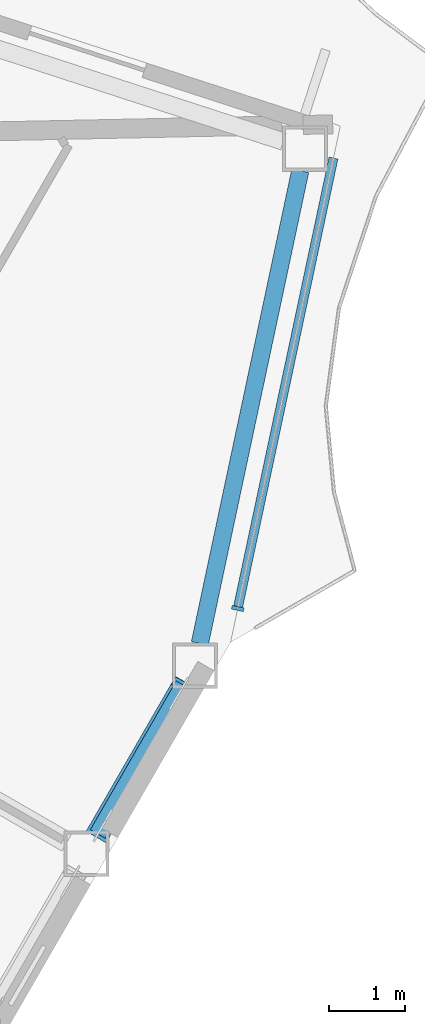
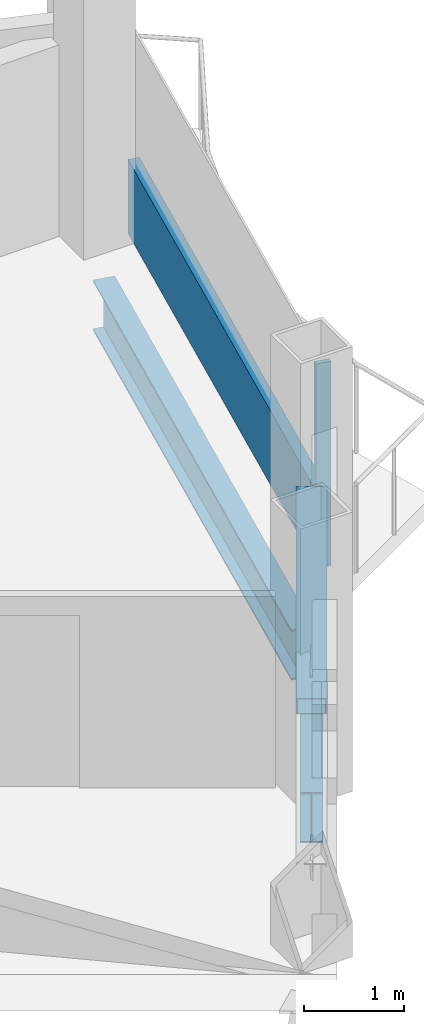
# One storey, part 8 of 27: 3 members, 2 beams, 1 element without a shape of its own.
"""IFC4 building model written with IfcOpenShell, lengths in metres."""

from ifc_helpers import new_model, si_unit, direction, frame, origin, origin_2d, place, context, subcontext, project, spatial, rectangle, hollow_rectangle, i_section, extrude, material, layer, layer_set, material_profile, profile_set, type_object, element, aggregate, save


model = new_model("IFC4")

# Units and contexts
model_context = context("Model", 3, precision=1e-05, world=origin(), true_north=direction((0.0, 1.0)))
body_context = subcontext(model_context, "Body", "Model", "MODEL_VIEW")
ifc_project = project(units=[si_unit("LENGTHUNIT", "METRE"), si_unit("AREAUNIT", "SQUARE_METRE"), si_unit("VOLUMEUNIT", "CUBIC_METRE"), si_unit("PLANEANGLEUNIT", "RADIAN"), si_unit("MASSUNIT", "GRAM", prefix="KILO")], contexts=[model_context])

# Site, building, storey
site_placement = place(None, origin())
site = spatial("IfcSite", under=ifc_project, at=site_placement, CompositionType="ELEMENT")
building_placement = place(site_placement, origin())
building = spatial("IfcBuilding", under=site, at=building_placement, Name="Cormorant Prow Tower", CompositionType="ELEMENT")
storey_placement = place(building_placement, frame((0.0, 0.0, 318.800048828125)))
storey = spatial("IfcBuildingStorey", under=building, at=storey_placement, Name="L70", CompositionType="ELEMENT", Elevation=318.800048828125)

# Member
ifc_material_1 = material(Name="Structural steel ASTM A500 Gr C", Category="steel")
ifc_material_profile_1 = material_profile(ifc_material_1, hollow_rectangle(XDim=0.3046875, YDim=0.3046875, WallThickness=0.01171875, at=origin_2d()), Name="HSS12x12x1/2")
ifc_profile_set_1 = profile_set([ifc_material_profile_1], Name="Structural steel ASTM A500 Gr C")
member_type_1 = type_object("IfcMemberType", Name="Chamfer brace HSS12x12x1/2", PredefinedType="BRACE", material=ifc_profile_set_1)
member_1_placement = place(storey_placement, frame((27.589599609375, -15.5654296875, 0.740966796875), z_axis=(0.456247183882, 0.790292391402, 0.408994429415), x_axis=(-0.866038851724, 0.499976706761, 0.0)))
element("IfcMember", 1, at=member_1_placement, inside=storey, type_object=member_type_1, Name="Chamfer brace BR3 at ESE01 L70", PredefinedType="BRACE", context=body_context, shape_type="SweptSolid", body=[
    extrude(hollow_rectangle(XDim=0.3046875, YDim=0.3046875, WallThickness=0.01171875, at=origin_2d()), origin(), (0.0, 0.0, 1.0), 2.459228515625),
])

# Curtain wall, members
ifc_material_2 = material(Name="Aluminium 6063-T6", Category="aluminium")
ifc_layer = layer(ifc_material_2, 0.159912109375)
ifc_layer_set = layer_set([ifc_layer], Name="Aluminium 6063-T6")
curtain_wall_type = type_object("IfcCurtainWallType", Name="Residential unitised curtain wall 160", PredefinedType="NOTDEFINED", material=ifc_layer_set)
curtain_wall_placement = place(storey_placement, origin())
curtain_wall = element("IfcCurtainWall", 2, at=curtain_wall_placement, inside=storey, type_object=curtain_wall_type, Name="Residential curtain wall ENE00", PredefinedType="NOTDEFINED")
ifc_material_3 = material(Name="Aluminium 6063-T6", Category="aluminium")
ifc_material_profile_2 = material_profile(ifc_material_3, rectangle(XDim=0.159912109375, YDim=0.050048828125, at=origin_2d()), Name="Residential mullion 50x160")
ifc_profile_set_2 = profile_set([ifc_material_profile_2], Name="Aluminium 6063-T6")
member_type_2 = type_object("IfcMemberType", Name="Residential mullion 50x160", PredefinedType="MULLION", material=ifc_profile_set_2)
member_2_placement = place(storey_placement, frame((29.433837890625, -12.59326171875, 0.0), z_axis=(0.0, 0.0, 1.0), x_axis=(-0.978147615151, 0.207911622991, 0.0)))
member_2 = element("IfcMember", 3, at=member_2_placement, type_object=member_type_2, Name="Residential mullion ENE00", PredefinedType="MULLION", context=body_context, shape_type="SweptSolid", body=[
    extrude(rectangle(XDim=0.159912109375, YDim=0.050048828125, at=origin_2d()), origin(), (0.0, 0.0, 1.0), 2.48779296875),
])
ifc_material_4 = material(Name="Terracotta", Category="masonry")
ifc_material_profile_3 = material_profile(ifc_material_4, rectangle(XDim=0.1201171875, YDim=0.89990234375, at=origin_2d()), Name="Residential terracotta spandrel rail 120x900")
ifc_profile_set_3 = profile_set([ifc_material_profile_3], Name="Terracotta")
member_type_3 = type_object("IfcMemberType", Name="Residential terracotta spandrel rail 120x900", PredefinedType="USERDEFINED", material=ifc_profile_set_3)
member_3_placement = place(storey_placement, frame((29.43896484375, -12.56884765625, 0.449951171875), z_axis=(0.207913597079, 0.978147195544, 0.0), x_axis=(-0.978147195544, 0.207913597079, 0.0)))
member_3 = element("IfcMember", 4, at=member_3_placement, type_object=member_type_3, Name="Residential spandrel rail ENE00", ObjectType="TRANSOM", PredefinedType="USERDEFINED", context=body_context, shape_type="SweptSolid", body=[
    extrude(rectangle(XDim=0.1201171875, YDim=0.89990234375, at=origin_2d()), origin(), (0.0, 0.0, 1.0), 6.069580078125),
])
aggregate(curtain_wall, [member_2, member_3])

# Beams
ifc_material_5 = material(Name="Structural steel ASTM A992 Gr 50", Category="steel")
ifc_material_profile_4 = material_profile(ifc_material_5, i_section(OverallWidth=0.22900390625, OverallDepth=0.612060546875, WebThickness=0.011962890625, FlangeThickness=0.01953125, at=origin_2d()), Name="W24x84")
ifc_profile_set_4 = profile_set([ifc_material_profile_4], Name="Structural steel ASTM A992 Gr 50")
beam_type = type_object("IfcBeamType", Name="Spandrel beam W24x84", PredefinedType="SPANDREL", material=ifc_profile_set_4)
beam_1_placement = place(storey_placement, frame((27.582275390625, -15.578125, -0.606201171875), z_axis=(0.500053962254, 0.865994246421, 0.0), x_axis=(-0.865994246421, 0.500053962254, 0.0)))
element("IfcBeam", 5, at=beam_1_placement, inside=storey, type_object=beam_type, Name="Spandrel beam SB3 ESE01-ENE00 L70", PredefinedType="SPANDREL", context=body_context, shape_type="SweptSolid", body=[
    extrude(i_section(OverallWidth=0.22900390625, OverallDepth=0.612060546875, WebThickness=0.011962890625, FlangeThickness=0.01953125, at=origin_2d()), origin(), (0.0, 0.0, 1.0), 2.273681640625),
])
beam_2_placement = place(storey_placement, frame((28.931640625, -13.055908203125, -0.606201171875), z_axis=(0.20791262393, 0.978147402394, 0.0), x_axis=(-0.978147402394, 0.20791262393, 0.0)))
element("IfcBeam", 6, at=beam_2_placement, inside=storey, type_object=beam_type, Name="Spandrel beam SB3 ENE00-ENE01 L70", PredefinedType="SPANDREL", context=body_context, shape_type="SweptSolid", body=[
    extrude(i_section(OverallWidth=0.22900390625, OverallDepth=0.612060546875, WebThickness=0.011962890625, FlangeThickness=0.01953125, at=origin_2d()), origin(), (0.0, 0.0, 1.0), 6.396240234375),
])

save(model, "model.ifc")
